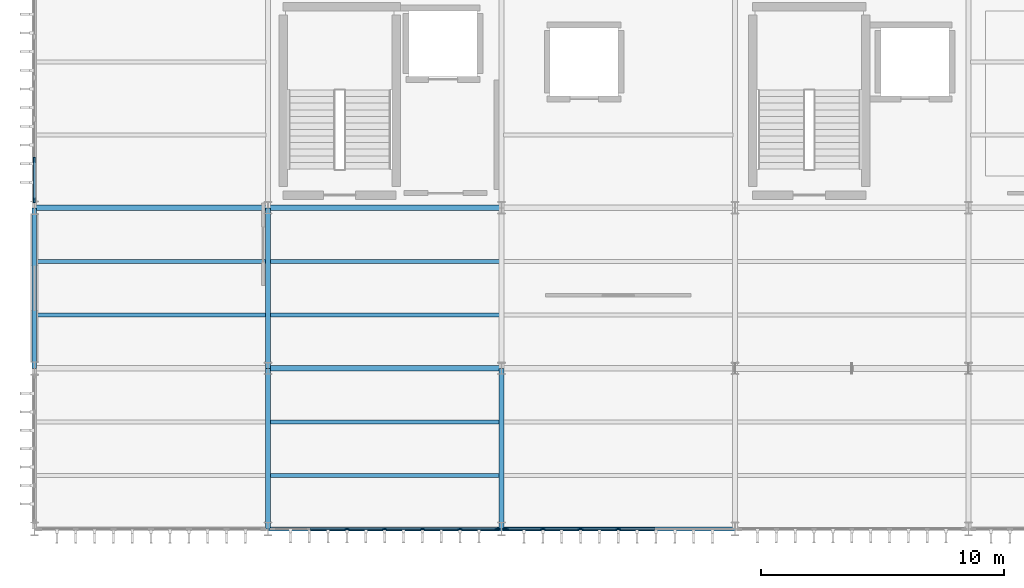
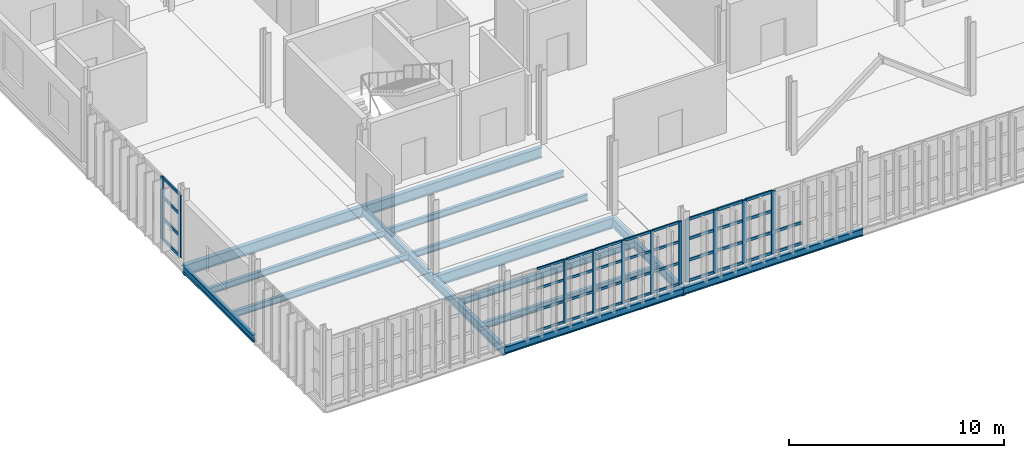
# One storey, part 5 of 52: 49 members, 15 beams, 3 elements without a shape of their own.
"""IFC4 building model written with IfcOpenShell, lengths in metres."""

from ifc_helpers import new_model, si_unit, direction, frame, origin, origin_2d, place, context, subcontext, project, spatial, rectangle, i_section, extrude, material, layer, layer_set, material_profile, profile_set, type_object, element, aggregate, save


model = new_model("IFC4")

# Units and contexts
model_context = context("Model", 3, precision=1e-05, world=origin(), true_north=direction((0.0, 1.0)))
body_context = subcontext(model_context, "Body", "Model", "MODEL_VIEW")
ifc_project = project(units=[si_unit("LENGTHUNIT", "METRE"), si_unit("AREAUNIT", "SQUARE_METRE"), si_unit("VOLUMEUNIT", "CUBIC_METRE"), si_unit("PLANEANGLEUNIT", "RADIAN"), si_unit("MASSUNIT", "GRAM", prefix="KILO")], contexts=[model_context])

# Site, building, storey
site_placement = place(None, origin())
site = spatial("IfcSite", under=ifc_project, at=site_placement, CompositionType="ELEMENT")
building_placement = place(site_placement, origin())
building = spatial("IfcBuilding", under=site, at=building_placement, Name="Zarnetskaya Central Station", CompositionType="ELEMENT")
storey_placement = place(building_placement, frame((0.0, 0.0, 14.39990234375)))
storey = spatial("IfcBuildingStorey", under=building, at=storey_placement, Name="L03", CompositionType="ELEMENT", Elevation=14.39990234375)

# Beams
ifc_material_1 = material(Name="Steel S355", Category="steel")
ifc_material_profile_1 = material_profile(ifc_material_1, i_section(OverallWidth=0.169921875, OverallDepth=0.360107421875, WebThickness=0.008056640625, FlangeThickness=0.0126953125, FilletRadius=0.01806640625, at=origin_2d()), Name="IPE 360")
ifc_profile_set_1 = profile_set([ifc_material_profile_1], Name="Steel S355")
beam_type_1 = type_object("IfcBeamType", Name="BM-SEC-360", PredefinedType="BEAM", material=ifc_profile_set_1)
for number, where, z_axis, x_axis, name in (
    (1, (0.080078125, 8.800048828125, -0.429931640625), (1.0, 0.0, 0.0), (0.0, 1.0, 0.0), "Secondary floor beam SEC-L03-Z1415-AB-23-1"),
    (2, (0.080078125, 11.0, -0.429931640625), (1.0, 0.0, 0.0), (0.0, 1.0, 0.0), "Secondary floor beam SEC-L03-Z1415-AB-23-2"),
):
    element("IfcBeam", number, at=place(storey_placement, frame(where, z_axis=z_axis, x_axis=x_axis)), inside=storey, type_object=beam_type_1, Name=name, PredefinedType="BEAM", context=body_context, shape_type="SweptSolid", body=[
        extrude(i_section(OverallWidth=0.169921875, OverallDepth=0.360107421875, WebThickness=0.008056640625, FlangeThickness=0.0126953125, FilletRadius=0.01806640625, at=origin_2d()), origin(), (0.0, 0.0, 1.0), 9.43994140625),
    ])
for number, where, z_axis, x_axis, name in (
    (3, (9.679931640625, 2.199951171875, -0.429931640625), (1.0, 0.0, 0.0), (0.0, 1.0, 0.0), "Secondary floor beam SEC-L03-Z1415-BC-12-1"),
    (4, (9.679931640625, 4.39990234375, -0.429931640625), (1.0, 0.0, 0.0), (0.0, 1.0, 0.0), "Secondary floor beam SEC-L03-Z1415-BC-12-2"),
    (5, (9.679931640625, 8.800048828125, -0.429931640625), (1.0, 0.0, 0.0), (0.0, 1.0, 0.0), "Secondary floor beam SEC-L03-Z1415-BC-23-1"),
    (6, (9.679931640625, 11.0, -0.429931640625), (1.0, 0.0, 0.0), (0.0, 1.0, 0.0), "Secondary floor beam SEC-L03-Z1415-BC-23-2"),
):
    element("IfcBeam", number, at=place(storey_placement, frame(where, z_axis=z_axis, x_axis=x_axis)), inside=storey, type_object=beam_type_1, Name=name, PredefinedType="BEAM", context=body_context, shape_type="SweptSolid", body=[
        extrude(i_section(OverallWidth=0.169921875, OverallDepth=0.360107421875, WebThickness=0.008056640625, FlangeThickness=0.0126953125, FilletRadius=0.01806640625, at=origin_2d()), origin(), (0.0, 0.0, 1.0), 9.440185546875),
    ])
ifc_material_profile_2 = material_profile(ifc_material_1, i_section(OverallWidth=0.179931640625, OverallDepth=0.39990234375, WebThickness=0.008544921875, FlangeThickness=0.013427734375, FilletRadius=0.02099609375, at=origin_2d()), Name="IPE 400")
ifc_profile_set_2 = profile_set([ifc_material_profile_2], Name="Steel S355")
beam_type_2 = type_object("IfcBeamType", Name="BM-SPN-V5", PredefinedType="SPANDREL", material=ifc_profile_set_2)
beam_1_placement = place(storey_placement, frame((0.0, 6.60009765625, -0.449951171875), z_axis=(0.0, 1.0, 0.0), x_axis=(-1.0, 0.0, 0.0)))
element("IfcBeam", 7, at=beam_1_placement, inside=storey, type_object=beam_type_2, Name="Grid girder GY-L03-A-23", PredefinedType="SPANDREL", context=body_context, shape_type="SweptSolid", body=[
    extrude(i_section(OverallWidth=0.179931640625, OverallDepth=0.39990234375, WebThickness=0.008544921875, FlangeThickness=0.013427734375, FilletRadius=0.02099609375, at=origin_2d()), origin(), (0.0, 0.0, 1.0), 6.599853515625),
])
beam_2_placement = place(storey_placement, frame((9.60009765625, 0.0, -0.449951171875), z_axis=(1.0, 0.0, 0.0), x_axis=(0.0, 1.0, 0.0)))
element("IfcBeam", 8, at=beam_2_placement, inside=storey, type_object=beam_type_2, Name="Grid girder GX-L03-1-BC", PredefinedType="SPANDREL", context=body_context, shape_type="SweptSolid", body=[
    extrude(i_section(OverallWidth=0.179931640625, OverallDepth=0.39990234375, WebThickness=0.008544921875, FlangeThickness=0.013427734375, FilletRadius=0.02099609375, at=origin_2d()), origin(), (0.0, 0.0, 1.0), 9.599853515625),
])
beam_3_placement = place(storey_placement, frame((19.199951171875, 0.0, -0.449951171875), z_axis=(1.0, 0.0, 0.0), x_axis=(0.0, 1.0, 0.0)))
element("IfcBeam", 9, at=beam_3_placement, inside=storey, type_object=beam_type_2, Name="Grid girder GX-L03-1-CD", PredefinedType="SPANDREL", context=body_context, shape_type="SweptSolid", body=[
    extrude(i_section(OverallWidth=0.179931640625, OverallDepth=0.39990234375, WebThickness=0.008544921875, FlangeThickness=0.013427734375, FilletRadius=0.02099609375, at=origin_2d()), origin(), (0.0, 0.0, 1.0), 9.60009765625),
])

# Curtain wall, members
ifc_material_2 = material(Name="Low-E insulated glass", Category="glass")
ifc_layer_1 = layer(ifc_material_2, 0.16796875, Name="Low-E insulated glass", Category="glass")
ifc_layer_set_1 = layer_set([ifc_layer_1], Name="Low-E insulated glass")
curtain_wall_type_1 = type_object("IfcCurtainWallType", Name="CW-SYS-08", PredefinedType="USERDEFINED", material=ifc_layer_set_1)
curtain_wall_1_placement = place(storey_placement, origin())
curtain_wall_1 = element("IfcCurtainWall", 10, at=curtain_wall_1_placement, inside=storey, type_object=curtain_wall_type_1, Name="Curtain wall CW-L03-045", ObjectType="CURTAIN WALL", PredefinedType="USERDEFINED")
ifc_material_3 = material(Name="Anodised aluminium", Category="aluminium")
ifc_material_profile_3 = material_profile(ifc_material_3, rectangle(XDim=0.070068359375, YDim=0.179931640625, at=origin_2d()), Name="ALU MULL 70x180")
ifc_profile_set_3 = profile_set([ifc_material_profile_3], Name="Anodised aluminium")
member_type_1 = type_object("IfcMemberType", Name="CW-MULL-180", PredefinedType="MULLION", material=ifc_profile_set_3)
member_1_placement = place(storey_placement, frame((19.014892578125, 0.0, 0.0), z_axis=(0.0, 0.0, 1.0), x_axis=(0.0, -1.0, 0.0)))
member_1 = element("IfcMember", 11, at=member_1_placement, type_object=member_type_1, Name="CW-16 mullion 1", PredefinedType="MULLION", context=body_context, shape_type="SweptSolid", body=[
    extrude(rectangle(XDim=0.070068359375, YDim=0.179931640625, at=origin_2d()), origin(), (0.0, 0.0, 1.0), 3.56005859375),
])
member_2_placement = place(storey_placement, frame((17.5, 0.0, 0.0), z_axis=(0.0, 0.0, 1.0), x_axis=(0.0, -1.0, 0.0)))
member_2 = element("IfcMember", 12, at=member_2_placement, type_object=member_type_1, Name="CW-16 mullion 2", PredefinedType="MULLION", context=body_context, shape_type="SweptSolid", body=[
    extrude(rectangle(XDim=0.070068359375, YDim=0.179931640625, at=origin_2d()), origin(), (0.0, 0.0, 1.0), 3.56005859375),
])
member_3_placement = place(storey_placement, frame((15.949951171875, 0.0, 0.0), z_axis=(0.0, 0.0, 1.0), x_axis=(0.0, -1.0, 0.0)))
member_3 = element("IfcMember", 13, at=member_3_placement, type_object=member_type_1, Name="CW-16 mullion 3", PredefinedType="MULLION", context=body_context, shape_type="SweptSolid", body=[
    extrude(rectangle(XDim=0.070068359375, YDim=0.179931640625, at=origin_2d()), origin(), (0.0, 0.0, 1.0), 3.56005859375),
])
member_4_placement = place(storey_placement, frame((14.39990234375, 0.0, 0.0), z_axis=(0.0, 0.0, 1.0), x_axis=(0.0, -1.0, 0.0)))
member_4 = element("IfcMember", 14, at=member_4_placement, type_object=member_type_1, Name="CW-16 mullion 4", PredefinedType="MULLION", context=body_context, shape_type="SweptSolid", body=[
    extrude(rectangle(XDim=0.070068359375, YDim=0.179931640625, at=origin_2d()), origin(), (0.0, 0.0, 1.0), 3.56005859375),
])
member_5_placement = place(storey_placement, frame((12.85009765625, 0.0, 0.0), z_axis=(0.0, 0.0, 1.0), x_axis=(0.0, -1.0, 0.0)))
member_5 = element("IfcMember", 15, at=member_5_placement, type_object=member_type_1, Name="CW-16 mullion 5", PredefinedType="MULLION", context=body_context, shape_type="SweptSolid", body=[
    extrude(rectangle(XDim=0.070068359375, YDim=0.179931640625, at=origin_2d()), origin(), (0.0, 0.0, 1.0), 3.56005859375),
])

ifc_layer_2 = layer(ifc_material_2, 0.1640625, Name="Low-E insulated glass", Category="glass")
ifc_layer_set_2 = layer_set([ifc_layer_2], Name="Low-E insulated glass")
curtain_wall_type_2 = type_object("IfcCurtainWallType", Name="CW-SYS-07", PredefinedType="USERDEFINED", material=ifc_layer_set_2)
curtain_wall_2_placement = place(storey_placement, origin())
curtain_wall_2 = element("IfcCurtainWall", 16, at=curtain_wall_2_placement, inside=storey, type_object=curtain_wall_type_2, Name="Curtain wall CW-L03-032", ObjectType="CURTAIN WALL", PredefinedType="USERDEFINED")
ifc_material_profile_4 = material_profile(ifc_material_3, rectangle(XDim=0.080078125, YDim=0.219970703125, at=origin_2d()), Name="ALU MULL 80x220")
ifc_profile_set_4 = profile_set([ifc_material_profile_4], Name="Anodised aluminium")
member_type_2 = type_object("IfcMemberType", Name="CW-MULL-220", PredefinedType="MULLION", material=ifc_profile_set_4)
member_6_placement = place(storey_placement, frame((0.0, 13.514892578125, 0.0), z_axis=(0.0, 0.0, 1.0), x_axis=(-1.0, 0.0, 0.0)))
member_6 = element("IfcMember", 17, at=member_6_placement, type_object=member_type_2, Name="CW-06 mullion 1", PredefinedType="MULLION", context=body_context, shape_type="SweptSolid", body=[
    extrude(rectangle(XDim=0.080078125, YDim=0.219970703125, at=origin_2d()), origin(), (0.0, 0.0, 1.0), 3.56005859375),
])
member_7_placement = place(storey_placement, frame((0.0, 15.1650390625, 0.0), z_axis=(0.0, 0.0, 1.0), x_axis=(-1.0, 0.0, 0.0)))
member_7 = element("IfcMember", 18, at=member_7_placement, type_object=member_type_2, Name="CW-06 mullion 2", PredefinedType="MULLION", context=body_context, shape_type="SweptSolid", body=[
    extrude(rectangle(XDim=0.080078125, YDim=0.219970703125, at=origin_2d()), origin(), (0.0, 0.0, 1.0), 3.56005859375),
])

curtain_wall_3_placement = place(storey_placement, origin())
curtain_wall_3 = element("IfcCurtainWall", 19, at=curtain_wall_3_placement, inside=storey, type_object=curtain_wall_type_2, Name="Curtain wall CW-L03-044", ObjectType="CURTAIN WALL", PredefinedType="USERDEFINED")
member_8_placement = place(storey_placement, frame((24.0, 0.0, 0.0), z_axis=(0.0, 0.0, 1.0), x_axis=(0.0, -1.0, 0.0)))
member_8 = element("IfcMember", 20, at=member_8_placement, type_object=member_type_2, Name="CW-06 mullion 4", PredefinedType="MULLION", context=body_context, shape_type="SweptSolid", body=[
    extrude(rectangle(XDim=0.080078125, YDim=0.219970703125, at=origin_2d()), origin(), (0.0, 0.0, 1.0), 3.56005859375),
])
member_9_placement = place(storey_placement, frame((22.449951171875, 0.0, 0.0), z_axis=(0.0, 0.0, 1.0), x_axis=(0.0, -1.0, 0.0)))
member_9 = element("IfcMember", 21, at=member_9_placement, type_object=member_type_2, Name="CW-06 mullion 5", PredefinedType="MULLION", context=body_context, shape_type="SweptSolid", body=[
    extrude(rectangle(XDim=0.080078125, YDim=0.219970703125, at=origin_2d()), origin(), (0.0, 0.0, 1.0), 3.56005859375),
])
member_10_placement = place(storey_placement, frame((20.89990234375, 0.0, 0.0), z_axis=(0.0, 0.0, 1.0), x_axis=(0.0, -1.0, 0.0)))
member_10 = element("IfcMember", 22, at=member_10_placement, type_object=member_type_2, Name="CW-06 mullion 6", PredefinedType="MULLION", context=body_context, shape_type="SweptSolid", body=[
    extrude(rectangle(XDim=0.080078125, YDim=0.219970703125, at=origin_2d()), origin(), (0.0, 0.0, 1.0), 3.56005859375),
])
member_11_placement = place(storey_placement, frame((19.389892578125, 0.0, 0.0), z_axis=(0.0, 0.0, 1.0), x_axis=(0.0, -1.0, 0.0)))
member_11 = element("IfcMember", 23, at=member_11_placement, type_object=member_type_2, Name="CW-06 mullion 7", PredefinedType="MULLION", context=body_context, shape_type="SweptSolid", body=[
    extrude(rectangle(XDim=0.080078125, YDim=0.219970703125, at=origin_2d()), origin(), (0.0, 0.0, 1.0), 3.56005859375),
])

# Member
ifc_material_profile_5 = material_profile(ifc_material_3, rectangle(XDim=0.070068359375, YDim=0.139892578125, at=origin_2d()), Name="ALU TRAN 70x140")
ifc_profile_set_5 = profile_set([ifc_material_profile_5], Name="Anodised aluminium")
member_type_3 = type_object("IfcMemberType", Name="CW-TRAN-140", PredefinedType="USERDEFINED", material=ifc_profile_set_5)
member_12_placement = place(storey_placement, frame((18.97998046875, 0.0, 0.03515625), z_axis=(-1.0, 0.0, 0.0), x_axis=(0.0, -1.0, 0.0)))
member_12 = element("IfcMember", 24, at=member_12_placement, type_object=member_type_3, Name="CW-16 transom 1.1", ObjectType="TRANSOM", PredefinedType="USERDEFINED", context=body_context, shape_type="SweptSolid", body=[
    extrude(rectangle(XDim=0.070068359375, YDim=0.139892578125, at=origin_2d()), origin(), (0.0, 0.0, 1.0), 1.445068359375),
])

member_13_placement = place(storey_placement, frame((18.97998046875, 0.0, 1.210205078125), z_axis=(-1.0, 0.0, 0.0), x_axis=(0.0, -1.0, 0.0)))
member_13 = element("IfcMember", 25, at=member_13_placement, type_object=member_type_3, Name="CW-16 transom 1.2", ObjectType="TRANSOM", PredefinedType="USERDEFINED", context=body_context, shape_type="SweptSolid", body=[
    extrude(rectangle(XDim=0.070068359375, YDim=0.139892578125, at=origin_2d()), origin(), (0.0, 0.0, 1.0), 1.445068359375),
])

member_14_placement = place(storey_placement, frame((18.97998046875, 0.0, 2.421142578125), z_axis=(-1.0, 0.0, 0.0), x_axis=(0.0, -1.0, 0.0)))
member_14 = element("IfcMember", 26, at=member_14_placement, type_object=member_type_3, Name="CW-16 transom 1.3", ObjectType="TRANSOM", PredefinedType="USERDEFINED", context=body_context, shape_type="SweptSolid", body=[
    extrude(rectangle(XDim=0.070068359375, YDim=0.139892578125, at=origin_2d()), origin(), (0.0, 0.0, 1.0), 1.445068359375),
])

member_15_placement = place(storey_placement, frame((18.97998046875, 0.0, 3.525146484375), z_axis=(-1.0, 0.0, 0.0), x_axis=(0.0, -1.0, 0.0)))
member_15 = element("IfcMember", 27, at=member_15_placement, type_object=member_type_3, Name="CW-16 transom 1.4", ObjectType="TRANSOM", PredefinedType="USERDEFINED", context=body_context, shape_type="SweptSolid", body=[
    extrude(rectangle(XDim=0.070068359375, YDim=0.139892578125, at=origin_2d()), origin(), (0.0, 0.0, 1.0), 1.445068359375),
])

member_16_placement = place(storey_placement, frame((17.465087890625, 0.0, 0.03515625), z_axis=(-1.0, 0.0, 0.0), x_axis=(0.0, -1.0, 0.0)))
member_16 = element("IfcMember", 28, at=member_16_placement, type_object=member_type_3, Name="CW-16 transom 2.1", ObjectType="TRANSOM", PredefinedType="USERDEFINED", context=body_context, shape_type="SweptSolid", body=[
    extrude(rectangle(XDim=0.070068359375, YDim=0.139892578125, at=origin_2d()), origin(), (0.0, 0.0, 1.0), 1.47998046875),
])

member_17_placement = place(storey_placement, frame((17.465087890625, 0.0, 1.210205078125), z_axis=(-1.0, 0.0, 0.0), x_axis=(0.0, -1.0, 0.0)))
member_17 = element("IfcMember", 29, at=member_17_placement, type_object=member_type_3, Name="CW-16 transom 2.2", ObjectType="TRANSOM", PredefinedType="USERDEFINED", context=body_context, shape_type="SweptSolid", body=[
    extrude(rectangle(XDim=0.070068359375, YDim=0.139892578125, at=origin_2d()), origin(), (0.0, 0.0, 1.0), 1.47998046875),
])

member_18_placement = place(storey_placement, frame((17.465087890625, 0.0, 2.421142578125), z_axis=(-1.0, 0.0, 0.0), x_axis=(0.0, -1.0, 0.0)))
member_18 = element("IfcMember", 30, at=member_18_placement, type_object=member_type_3, Name="CW-16 transom 2.3", ObjectType="TRANSOM", PredefinedType="USERDEFINED", context=body_context, shape_type="SweptSolid", body=[
    extrude(rectangle(XDim=0.070068359375, YDim=0.139892578125, at=origin_2d()), origin(), (0.0, 0.0, 1.0), 1.47998046875),
])

member_19_placement = place(storey_placement, frame((17.465087890625, 0.0, 3.525146484375), z_axis=(-1.0, 0.0, 0.0), x_axis=(0.0, -1.0, 0.0)))
member_19 = element("IfcMember", 31, at=member_19_placement, type_object=member_type_3, Name="CW-16 transom 2.4", ObjectType="TRANSOM", PredefinedType="USERDEFINED", context=body_context, shape_type="SweptSolid", body=[
    extrude(rectangle(XDim=0.070068359375, YDim=0.139892578125, at=origin_2d()), origin(), (0.0, 0.0, 1.0), 1.47998046875),
])

member_20_placement = place(storey_placement, frame((15.9150390625, 0.0, 0.03515625), z_axis=(-1.0, 0.0, 0.0), x_axis=(0.0, -1.0, 0.0)))
member_20 = element("IfcMember", 32, at=member_20_placement, type_object=member_type_3, Name="CW-16 transom 3.1", ObjectType="TRANSOM", PredefinedType="USERDEFINED", context=body_context, shape_type="SweptSolid", body=[
    extrude(rectangle(XDim=0.070068359375, YDim=0.139892578125, at=origin_2d()), origin(), (0.0, 0.0, 1.0), 1.47998046875),
])

member_21_placement = place(storey_placement, frame((15.9150390625, 0.0, 1.210205078125), z_axis=(-1.0, 0.0, 0.0), x_axis=(0.0, -1.0, 0.0)))
member_21 = element("IfcMember", 33, at=member_21_placement, type_object=member_type_3, Name="CW-16 transom 3.2", ObjectType="TRANSOM", PredefinedType="USERDEFINED", context=body_context, shape_type="SweptSolid", body=[
    extrude(rectangle(XDim=0.070068359375, YDim=0.139892578125, at=origin_2d()), origin(), (0.0, 0.0, 1.0), 1.47998046875),
])

member_22_placement = place(storey_placement, frame((15.9150390625, 0.0, 2.421142578125), z_axis=(-1.0, 0.0, 0.0), x_axis=(0.0, -1.0, 0.0)))
member_22 = element("IfcMember", 34, at=member_22_placement, type_object=member_type_3, Name="CW-16 transom 3.3", ObjectType="TRANSOM", PredefinedType="USERDEFINED", context=body_context, shape_type="SweptSolid", body=[
    extrude(rectangle(XDim=0.070068359375, YDim=0.139892578125, at=origin_2d()), origin(), (0.0, 0.0, 1.0), 1.47998046875),
])

member_23_placement = place(storey_placement, frame((15.9150390625, 0.0, 3.525146484375), z_axis=(-1.0, 0.0, 0.0), x_axis=(0.0, -1.0, 0.0)))
member_23 = element("IfcMember", 35, at=member_23_placement, type_object=member_type_3, Name="CW-16 transom 3.4", ObjectType="TRANSOM", PredefinedType="USERDEFINED", context=body_context, shape_type="SweptSolid", body=[
    extrude(rectangle(XDim=0.070068359375, YDim=0.139892578125, at=origin_2d()), origin(), (0.0, 0.0, 1.0), 1.47998046875),
])

member_24_placement = place(storey_placement, frame((14.364990234375, 0.0, 0.03515625), z_axis=(-1.0, 0.0, 0.0), x_axis=(0.0, -1.0, 0.0)))
member_24 = element("IfcMember", 36, at=member_24_placement, type_object=member_type_3, Name="CW-16 transom 4.1", ObjectType="TRANSOM", PredefinedType="USERDEFINED", context=body_context, shape_type="SweptSolid", body=[
    extrude(rectangle(XDim=0.070068359375, YDim=0.139892578125, at=origin_2d()), origin(), (0.0, 0.0, 1.0), 1.47998046875),
])

member_25_placement = place(storey_placement, frame((14.364990234375, 0.0, 1.210205078125), z_axis=(-1.0, 0.0, 0.0), x_axis=(0.0, -1.0, 0.0)))
member_25 = element("IfcMember", 37, at=member_25_placement, type_object=member_type_3, Name="CW-16 transom 4.2", ObjectType="TRANSOM", PredefinedType="USERDEFINED", context=body_context, shape_type="SweptSolid", body=[
    extrude(rectangle(XDim=0.070068359375, YDim=0.139892578125, at=origin_2d()), origin(), (0.0, 0.0, 1.0), 1.47998046875),
])

member_26_placement = place(storey_placement, frame((14.364990234375, 0.0, 2.421142578125), z_axis=(-1.0, 0.0, 0.0), x_axis=(0.0, -1.0, 0.0)))
member_26 = element("IfcMember", 38, at=member_26_placement, type_object=member_type_3, Name="CW-16 transom 4.3", ObjectType="TRANSOM", PredefinedType="USERDEFINED", context=body_context, shape_type="SweptSolid", body=[
    extrude(rectangle(XDim=0.070068359375, YDim=0.139892578125, at=origin_2d()), origin(), (0.0, 0.0, 1.0), 1.47998046875),
])

member_27_placement = place(storey_placement, frame((14.364990234375, 0.0, 3.525146484375), z_axis=(-1.0, 0.0, 0.0), x_axis=(0.0, -1.0, 0.0)))
member_27 = element("IfcMember", 39, at=member_27_placement, type_object=member_type_3, Name="CW-16 transom 4.4", ObjectType="TRANSOM", PredefinedType="USERDEFINED", context=body_context, shape_type="SweptSolid", body=[
    extrude(rectangle(XDim=0.070068359375, YDim=0.139892578125, at=origin_2d()), origin(), (0.0, 0.0, 1.0), 1.47998046875),
])

member_28_placement = place(storey_placement, frame((12.81494140625, 0.0, 0.03515625), z_axis=(-1.0, 0.0, 0.0), x_axis=(0.0, -1.0, 0.0)))
member_28 = element("IfcMember", 40, at=member_28_placement, type_object=member_type_3, Name="CW-16 transom 5.1", ObjectType="TRANSOM", PredefinedType="USERDEFINED", context=body_context, shape_type="SweptSolid", body=[
    extrude(rectangle(XDim=0.070068359375, YDim=0.139892578125, at=origin_2d()), origin(), (0.0, 0.0, 1.0), 1.47998046875),
])

member_29_placement = place(storey_placement, frame((12.81494140625, 0.0, 1.210205078125), z_axis=(-1.0, 0.0, 0.0), x_axis=(0.0, -1.0, 0.0)))
member_29 = element("IfcMember", 41, at=member_29_placement, type_object=member_type_3, Name="CW-16 transom 5.2", ObjectType="TRANSOM", PredefinedType="USERDEFINED", context=body_context, shape_type="SweptSolid", body=[
    extrude(rectangle(XDim=0.070068359375, YDim=0.139892578125, at=origin_2d()), origin(), (0.0, 0.0, 1.0), 1.47998046875),
])

member_30_placement = place(storey_placement, frame((12.81494140625, 0.0, 2.421142578125), z_axis=(-1.0, 0.0, 0.0), x_axis=(0.0, -1.0, 0.0)))
member_30 = element("IfcMember", 42, at=member_30_placement, type_object=member_type_3, Name="CW-16 transom 5.3", ObjectType="TRANSOM", PredefinedType="USERDEFINED", context=body_context, shape_type="SweptSolid", body=[
    extrude(rectangle(XDim=0.070068359375, YDim=0.139892578125, at=origin_2d()), origin(), (0.0, 0.0, 1.0), 1.47998046875),
])

member_31_placement = place(storey_placement, frame((12.81494140625, 0.0, 3.525146484375), z_axis=(-1.0, 0.0, 0.0), x_axis=(0.0, -1.0, 0.0)))
member_31 = element("IfcMember", 43, at=member_31_placement, type_object=member_type_3, Name="CW-16 transom 5.4", ObjectType="TRANSOM", PredefinedType="USERDEFINED", context=body_context, shape_type="SweptSolid", body=[
    extrude(rectangle(XDim=0.070068359375, YDim=0.139892578125, at=origin_2d()), origin(), (0.0, 0.0, 1.0), 1.47998046875),
])

aggregate(curtain_wall_1, [member_1, member_2, member_3, member_4, member_5, member_12, member_13, member_14, member_15, member_16, member_17, member_18, member_19, member_20, member_21, member_22, member_23, member_24, member_25, member_26, member_27, member_28, member_29, member_30, member_31])

ifc_material_profile_6 = material_profile(ifc_material_3, rectangle(XDim=0.080078125, YDim=0.159912109375, at=origin_2d()), Name="ALU TRAN 80x160")
ifc_profile_set_6 = profile_set([ifc_material_profile_6], Name="Anodised aluminium")
member_type_4 = type_object("IfcMemberType", Name="CW-TRAN-160", PredefinedType="USERDEFINED", material=ifc_profile_set_6)
member_32_placement = place(storey_placement, frame((0.0, 13.554931640625, 0.0400390625), z_axis=(0.0, 1.0, 0.0), x_axis=(-1.0, 0.0, 0.0)))
member_32 = element("IfcMember", 44, at=member_32_placement, type_object=member_type_4, Name="CW-06 transom 1.1", ObjectType="TRANSOM", PredefinedType="USERDEFINED", context=body_context, shape_type="SweptSolid", body=[
    extrude(rectangle(XDim=0.080078125, YDim=0.159912109375, at=origin_2d()), origin(), (0.0, 0.0, 1.0), 1.570068359375),
])

member_33_placement = place(storey_placement, frame((0.0, 13.554931640625, 1.210205078125), z_axis=(0.0, 1.0, 0.0), x_axis=(-1.0, 0.0, 0.0)))
member_33 = element("IfcMember", 45, at=member_33_placement, type_object=member_type_4, Name="CW-06 transom 1.2", ObjectType="TRANSOM", PredefinedType="USERDEFINED", context=body_context, shape_type="SweptSolid", body=[
    extrude(rectangle(XDim=0.080078125, YDim=0.159912109375, at=origin_2d()), origin(), (0.0, 0.0, 1.0), 1.570068359375),
])

member_34_placement = place(storey_placement, frame((0.0, 13.554931640625, 2.421142578125), z_axis=(0.0, 1.0, 0.0), x_axis=(-1.0, 0.0, 0.0)))
member_34 = element("IfcMember", 46, at=member_34_placement, type_object=member_type_4, Name="CW-06 transom 1.3", ObjectType="TRANSOM", PredefinedType="USERDEFINED", context=body_context, shape_type="SweptSolid", body=[
    extrude(rectangle(XDim=0.080078125, YDim=0.159912109375, at=origin_2d()), origin(), (0.0, 0.0, 1.0), 1.570068359375),
])

member_35_placement = place(storey_placement, frame((0.0, 13.554931640625, 3.52001953125), z_axis=(0.0, 1.0, 0.0), x_axis=(-1.0, 0.0, 0.0)))
member_35 = element("IfcMember", 47, at=member_35_placement, type_object=member_type_4, Name="CW-06 transom 1.4", ObjectType="TRANSOM", PredefinedType="USERDEFINED", context=body_context, shape_type="SweptSolid", body=[
    extrude(rectangle(XDim=0.080078125, YDim=0.159912109375, at=origin_2d()), origin(), (0.0, 0.0, 1.0), 1.570068359375),
])

aggregate(curtain_wall_2, [member_6, member_7, member_32, member_33, member_34, member_35])

member_36_placement = place(storey_placement, frame((25.510009765625, 0.0, 0.0400390625), z_axis=(-1.0, 0.0, 0.0), x_axis=(0.0, -1.0, 0.0)))
member_36 = element("IfcMember", 48, at=member_36_placement, type_object=member_type_4, Name="CW-06 transom 3.1", ObjectType="TRANSOM", PredefinedType="USERDEFINED", context=body_context, shape_type="SweptSolid", body=[
    extrude(rectangle(XDim=0.080078125, YDim=0.159912109375, at=origin_2d()), origin(), (0.0, 0.0, 1.0), 1.469970703125),
])

member_37_placement = place(storey_placement, frame((25.510009765625, 0.0, 1.210205078125), z_axis=(-1.0, 0.0, 0.0), x_axis=(0.0, -1.0, 0.0)))
member_37 = element("IfcMember", 49, at=member_37_placement, type_object=member_type_4, Name="CW-06 transom 3.2", ObjectType="TRANSOM", PredefinedType="USERDEFINED", context=body_context, shape_type="SweptSolid", body=[
    extrude(rectangle(XDim=0.080078125, YDim=0.159912109375, at=origin_2d()), origin(), (0.0, 0.0, 1.0), 1.469970703125),
])

member_38_placement = place(storey_placement, frame((23.9599609375, 0.0, 0.0400390625), z_axis=(-1.0, 0.0, 0.0), x_axis=(0.0, -1.0, 0.0)))
member_38 = element("IfcMember", 50, at=member_38_placement, type_object=member_type_4, Name="CW-06 transom 4.1", ObjectType="TRANSOM", PredefinedType="USERDEFINED", context=body_context, shape_type="SweptSolid", body=[
    extrude(rectangle(XDim=0.080078125, YDim=0.159912109375, at=origin_2d()), origin(), (0.0, 0.0, 1.0), 1.469970703125),
])

member_39_placement = place(storey_placement, frame((23.9599609375, 0.0, 1.210205078125), z_axis=(-1.0, 0.0, 0.0), x_axis=(0.0, -1.0, 0.0)))
member_39 = element("IfcMember", 51, at=member_39_placement, type_object=member_type_4, Name="CW-06 transom 4.2", ObjectType="TRANSOM", PredefinedType="USERDEFINED", context=body_context, shape_type="SweptSolid", body=[
    extrude(rectangle(XDim=0.080078125, YDim=0.159912109375, at=origin_2d()), origin(), (0.0, 0.0, 1.0), 1.469970703125),
])

member_40_placement = place(storey_placement, frame((23.9599609375, 0.0, 2.421142578125), z_axis=(-1.0, 0.0, 0.0), x_axis=(0.0, -1.0, 0.0)))
member_40 = element("IfcMember", 52, at=member_40_placement, type_object=member_type_4, Name="CW-06 transom 4.3", ObjectType="TRANSOM", PredefinedType="USERDEFINED", context=body_context, shape_type="SweptSolid", body=[
    extrude(rectangle(XDim=0.080078125, YDim=0.159912109375, at=origin_2d()), origin(), (0.0, 0.0, 1.0), 1.469970703125),
])

member_41_placement = place(storey_placement, frame((23.9599609375, 0.0, 3.52001953125), z_axis=(-1.0, 0.0, 0.0), x_axis=(0.0, -1.0, 0.0)))
member_41 = element("IfcMember", 53, at=member_41_placement, type_object=member_type_4, Name="CW-06 transom 4.4", ObjectType="TRANSOM", PredefinedType="USERDEFINED", context=body_context, shape_type="SweptSolid", body=[
    extrude(rectangle(XDim=0.080078125, YDim=0.159912109375, at=origin_2d()), origin(), (0.0, 0.0, 1.0), 1.469970703125),
])

member_42_placement = place(storey_placement, frame((22.409912109375, 0.0, 0.0400390625), z_axis=(-1.0, 0.0, 0.0), x_axis=(0.0, -1.0, 0.0)))
member_42 = element("IfcMember", 54, at=member_42_placement, type_object=member_type_4, Name="CW-06 transom 5.1", ObjectType="TRANSOM", PredefinedType="USERDEFINED", context=body_context, shape_type="SweptSolid", body=[
    extrude(rectangle(XDim=0.080078125, YDim=0.159912109375, at=origin_2d()), origin(), (0.0, 0.0, 1.0), 1.469970703125),
])

member_43_placement = place(storey_placement, frame((22.409912109375, 0.0, 1.210205078125), z_axis=(-1.0, 0.0, 0.0), x_axis=(0.0, -1.0, 0.0)))
member_43 = element("IfcMember", 55, at=member_43_placement, type_object=member_type_4, Name="CW-06 transom 5.2", ObjectType="TRANSOM", PredefinedType="USERDEFINED", context=body_context, shape_type="SweptSolid", body=[
    extrude(rectangle(XDim=0.080078125, YDim=0.159912109375, at=origin_2d()), origin(), (0.0, 0.0, 1.0), 1.469970703125),
])

member_44_placement = place(storey_placement, frame((22.409912109375, 0.0, 2.421142578125), z_axis=(-1.0, 0.0, 0.0), x_axis=(0.0, -1.0, 0.0)))
member_44 = element("IfcMember", 56, at=member_44_placement, type_object=member_type_4, Name="CW-06 transom 5.3", ObjectType="TRANSOM", PredefinedType="USERDEFINED", context=body_context, shape_type="SweptSolid", body=[
    extrude(rectangle(XDim=0.080078125, YDim=0.159912109375, at=origin_2d()), origin(), (0.0, 0.0, 1.0), 1.469970703125),
])

member_45_placement = place(storey_placement, frame((22.409912109375, 0.0, 3.52001953125), z_axis=(-1.0, 0.0, 0.0), x_axis=(0.0, -1.0, 0.0)))
member_45 = element("IfcMember", 57, at=member_45_placement, type_object=member_type_4, Name="CW-06 transom 5.4", ObjectType="TRANSOM", PredefinedType="USERDEFINED", context=body_context, shape_type="SweptSolid", body=[
    extrude(rectangle(XDim=0.080078125, YDim=0.159912109375, at=origin_2d()), origin(), (0.0, 0.0, 1.0), 1.469970703125),
])

member_46_placement = place(storey_placement, frame((20.860107421875, 0.0, 0.0400390625), z_axis=(-1.0, 0.0, 0.0), x_axis=(0.0, -1.0, 0.0)))
member_46 = element("IfcMember", 58, at=member_46_placement, type_object=member_type_4, Name="CW-06 transom 6.1", ObjectType="TRANSOM", PredefinedType="USERDEFINED", context=body_context, shape_type="SweptSolid", body=[
    extrude(rectangle(XDim=0.080078125, YDim=0.159912109375, at=origin_2d()), origin(), (0.0, 0.0, 1.0), 1.43017578125),
])

member_47_placement = place(storey_placement, frame((20.860107421875, 0.0, 1.210205078125), z_axis=(-1.0, 0.0, 0.0), x_axis=(0.0, -1.0, 0.0)))
member_47 = element("IfcMember", 59, at=member_47_placement, type_object=member_type_4, Name="CW-06 transom 6.2", ObjectType="TRANSOM", PredefinedType="USERDEFINED", context=body_context, shape_type="SweptSolid", body=[
    extrude(rectangle(XDim=0.080078125, YDim=0.159912109375, at=origin_2d()), origin(), (0.0, 0.0, 1.0), 1.43017578125),
])

member_48_placement = place(storey_placement, frame((20.860107421875, 0.0, 2.421142578125), z_axis=(-1.0, 0.0, 0.0), x_axis=(0.0, -1.0, 0.0)))
member_48 = element("IfcMember", 60, at=member_48_placement, type_object=member_type_4, Name="CW-06 transom 6.3", ObjectType="TRANSOM", PredefinedType="USERDEFINED", context=body_context, shape_type="SweptSolid", body=[
    extrude(rectangle(XDim=0.080078125, YDim=0.159912109375, at=origin_2d()), origin(), (0.0, 0.0, 1.0), 1.43017578125),
])

member_49_placement = place(storey_placement, frame((20.860107421875, 0.0, 3.52001953125), z_axis=(-1.0, 0.0, 0.0), x_axis=(0.0, -1.0, 0.0)))
member_49 = element("IfcMember", 61, at=member_49_placement, type_object=member_type_4, Name="CW-06 transom 6.4", ObjectType="TRANSOM", PredefinedType="USERDEFINED", context=body_context, shape_type="SweptSolid", body=[
    extrude(rectangle(XDim=0.080078125, YDim=0.159912109375, at=origin_2d()), origin(), (0.0, 0.0, 1.0), 1.43017578125),
])

aggregate(curtain_wall_3, [member_8, member_9, member_10, member_11, member_36, member_37, member_38, member_39, member_40, member_41, member_42, member_43, member_44, member_45, member_46, member_47, member_48, member_49])

# Beams
ifc_material_profile_7 = material_profile(ifc_material_1, i_section(OverallWidth=0.199951171875, OverallDepth=0.5, WebThickness=0.01025390625, FlangeThickness=0.01611328125, FilletRadius=0.02099609375, at=origin_2d()), Name="IPE 500")
ifc_profile_set_7 = profile_set([ifc_material_profile_7], Name="Steel S355")
beam_type_3 = type_object("IfcBeamType", Name="GD-FLR-500", PredefinedType="USERDEFINED", material=ifc_profile_set_7)
beam_4_placement = place(storey_placement, frame((9.60009765625, 0.0, -0.5), z_axis=(0.0, 1.0, 0.0), x_axis=(-1.0, 0.0, 0.0)))
element("IfcBeam", 62, at=beam_4_placement, inside=storey, type_object=beam_type_3, Name="Grid girder GY-L03-B-12", ObjectType="GIRDER", PredefinedType="USERDEFINED", context=body_context, shape_type="SweptSolid", body=[
    extrude(i_section(OverallWidth=0.199951171875, OverallDepth=0.5, WebThickness=0.01025390625, FlangeThickness=0.01611328125, FilletRadius=0.02099609375, at=origin_2d()), origin(), (0.0, 0.0, 1.0), 6.60009765625),
])
beam_5_placement = place(storey_placement, frame((9.60009765625, 6.60009765625, -0.5), z_axis=(0.0, 1.0, 0.0), x_axis=(-1.0, 0.0, 0.0)))
element("IfcBeam", 63, at=beam_5_placement, inside=storey, type_object=beam_type_3, Name="Grid girder GY-L03-B-23", ObjectType="GIRDER", PredefinedType="USERDEFINED", context=body_context, shape_type="SweptSolid", body=[
    extrude(i_section(OverallWidth=0.199951171875, OverallDepth=0.5, WebThickness=0.01025390625, FlangeThickness=0.01611328125, FilletRadius=0.02099609375, at=origin_2d()), origin(), (0.0, 0.0, 1.0), 6.599853515625),
])
beam_6_placement = place(storey_placement, frame((19.199951171875, 0.0, -0.5), z_axis=(0.0, 1.0, 0.0), x_axis=(-1.0, 0.0, 0.0)))
element("IfcBeam", 64, at=beam_6_placement, inside=storey, type_object=beam_type_3, Name="Grid girder GY-L03-C-12", ObjectType="GIRDER", PredefinedType="USERDEFINED", context=body_context, shape_type="SweptSolid", body=[
    extrude(i_section(OverallWidth=0.199951171875, OverallDepth=0.5, WebThickness=0.01025390625, FlangeThickness=0.01611328125, FilletRadius=0.02099609375, at=origin_2d()), origin(), (0.0, 0.0, 1.0), 6.60009765625),
])
ifc_material_profile_8 = material_profile(ifc_material_1, i_section(OverallWidth=0.219970703125, OverallDepth=0.60009765625, WebThickness=0.011962890625, FlangeThickness=0.01904296875, FilletRadius=0.02392578125, at=origin_2d()), Name="IPE 600")
ifc_profile_set_8 = profile_set([ifc_material_profile_8], Name="Steel S355")
beam_type_4 = type_object("IfcBeamType", Name="GD-FLR-600", PredefinedType="USERDEFINED", material=ifc_profile_set_8)
beam_7_placement = place(storey_placement, frame((0.0, 13.199951171875, -0.5498046875), z_axis=(1.0, 0.0, 0.0), x_axis=(0.0, 1.0, 0.0)))
element("IfcBeam", 65, at=beam_7_placement, inside=storey, type_object=beam_type_4, Name="Grid girder GX-L03-3-AB", ObjectType="GIRDER", PredefinedType="USERDEFINED", context=body_context, shape_type="SweptSolid", body=[
    extrude(i_section(OverallWidth=0.219970703125, OverallDepth=0.60009765625, WebThickness=0.011962890625, FlangeThickness=0.01904296875, FilletRadius=0.02392578125, at=origin_2d()), origin(), (0.0, 0.0, 1.0), 9.60009765625),
])
for number, where, z_axis, x_axis, name in (
    (66, (9.60009765625, 6.60009765625, -0.5498046875), (1.0, 0.0, 0.0), (0.0, 1.0, 0.0), "Grid girder GX-L03-2-BC"),
    (67, (9.60009765625, 13.199951171875, -0.5498046875), (1.0, 0.0, 0.0), (0.0, 1.0, 0.0), "Grid girder GX-L03-3-BC"),
):
    element("IfcBeam", number, at=place(storey_placement, frame(where, z_axis=z_axis, x_axis=x_axis)), inside=storey, type_object=beam_type_4, Name=name, ObjectType="GIRDER", PredefinedType="USERDEFINED", context=body_context, shape_type="SweptSolid", body=[
        extrude(i_section(OverallWidth=0.219970703125, OverallDepth=0.60009765625, WebThickness=0.011962890625, FlangeThickness=0.01904296875, FilletRadius=0.02392578125, at=origin_2d()), origin(), (0.0, 0.0, 1.0), 9.599853515625),
    ])

save(model, "model.ifc")
